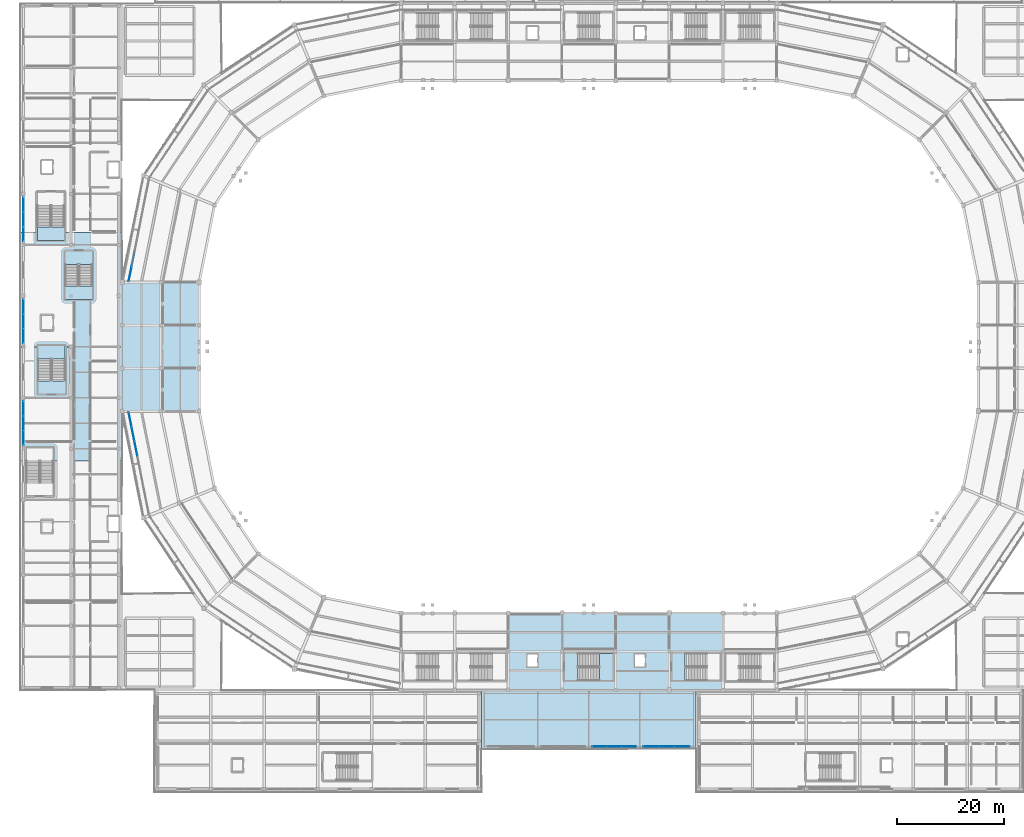
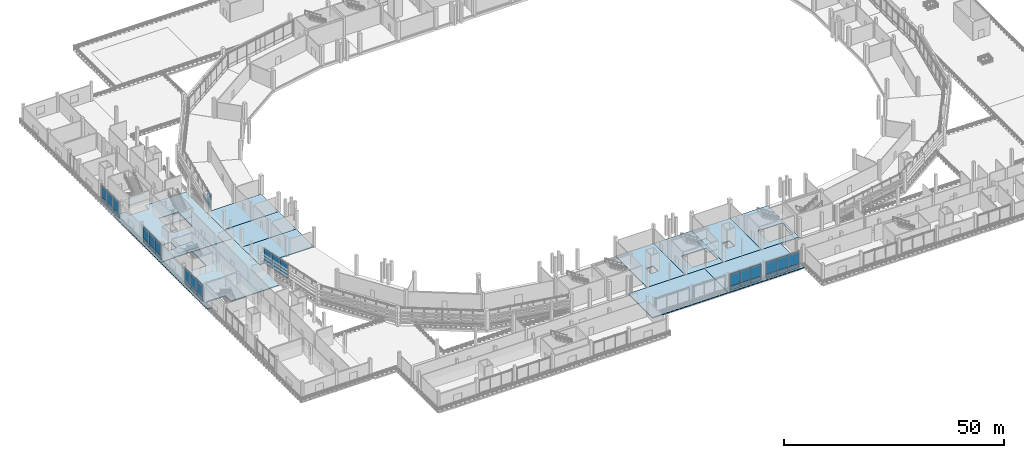
# One storey, part 61 of 111: 39 plates, 15 slabs, 11 elements without a shape of their own.
"""IFC4 building model written with IfcOpenShell, lengths in metres."""

from ifc_helpers import new_model, si_unit, direction, frame, origin, origin_2d, place, context, subcontext, project, spatial, polyline, rectangle, outline, extrude, material, layer, layer_set, type_object, element, aggregate, save


model = new_model("IFC4")

# Units and contexts
model_context = context("Model", 3, precision=1e-05, world=origin(), true_north=direction((0.0, 1.0)))
body_context = subcontext(model_context, "Body", "Model", "MODEL_VIEW")
ifc_project = project(units=[si_unit("LENGTHUNIT", "METRE"), si_unit("AREAUNIT", "SQUARE_METRE"), si_unit("VOLUMEUNIT", "CUBIC_METRE"), si_unit("PLANEANGLEUNIT", "RADIAN"), si_unit("MASSUNIT", "GRAM", prefix="KILO")], contexts=[model_context])

# Site, building, storey
site_placement = place(None, origin())
site = spatial("IfcSite", under=ifc_project, at=site_placement, CompositionType="ELEMENT")
building_placement = place(site_placement, origin())
building = spatial("IfcBuilding", under=site, at=building_placement, Name="Candeia Ridge Stadium", CompositionType="ELEMENT")
storey_placement = place(building_placement, frame((0.0, 0.0, 16.199951171875)))
storey = spatial("IfcBuildingStorey", under=building, at=storey_placement, Name="L03", CompositionType="ELEMENT", Elevation=16.199951171875)

# Stair, slab
ifc_material_1 = material(Name="Concrete C40/50", Category="concrete")
stair_type = type_object("IfcStairType", Name="Enclosed Core Half-Turn Stair 2450", PredefinedType="HALF_TURN_STAIR", material=ifc_material_1)
stair_1_placement = place(storey_placement, origin())
stair_1 = element("IfcStair", 1, at=stair_1_placement, inside=storey, type_object=stair_type, Name="L03 Enclosed exit stair ST06", PredefinedType="HALF_TURN_STAIR")
ifc_layer_1 = layer(ifc_material_1, 0.199951171875, Name="Concrete C40/50", Category="concrete")
ifc_layer_set_1 = layer_set([ifc_layer_1], Name="Concrete C40/50")
slab_type_1 = type_object("IfcSlabType", Name="Core Stair Landing Slab 200", PredefinedType="LANDING", material=ifc_layer_set_1)
slab_1_placement = place(storey_placement, frame((0.0, 0.0, 2.5)))
slab_1 = element("IfcSlab", 2, at=slab_1_placement, type_object=slab_type_1, Name="ST06 landing 1", PredefinedType="LANDING", context=body_context, shape_type="SweptSolid", body=[
    extrude(outline(polyline([(3.199951171875, 105.2900390625), (3.199951171875, 102.800048828125), (8.25, 102.800048828125), (8.25, 105.2900390625), (3.199951171875, 105.2900390625)])), origin(), (0.0, 0.0, 1.0), 0.199951171875),
])
aggregate(stair_1, [slab_1])

stair_2_placement = place(storey_placement, origin())
stair_2 = element("IfcStair", 3, at=stair_2_placement, inside=storey, type_object=stair_type, Name="L03 Enclosed exit stair ST07", PredefinedType="HALF_TURN_STAIR")
slab_2_placement = place(storey_placement, frame((0.0, 0.0, 2.5)))
slab_2 = element("IfcSlab", 4, at=slab_2_placement, type_object=slab_type_1, Name="ST07 landing 1", PredefinedType="LANDING", context=body_context, shape_type="SweptSolid", body=[
    extrude(outline(polyline([(8.39990234375, 80.7099609375), (8.39990234375, 83.199951171875), (3.35009765625, 83.199951171875), (3.35009765625, 80.7099609375), (8.39990234375, 80.7099609375)])), origin(), (0.0, 0.0, 1.0), 0.199951171875),
])
aggregate(stair_2, [slab_2])

stair_3_placement = place(storey_placement, origin())
stair_3 = element("IfcStair", 5, at=stair_3_placement, inside=storey, type_object=stair_type, Name="L03 Enclosed exit stair ST08", PredefinedType="HALF_TURN_STAIR")
slab_3_placement = place(storey_placement, frame((0.0, 0.0, 2.5)))
slab_3 = element("IfcSlab", 6, at=slab_3_placement, type_object=slab_type_1, Name="ST08 landing 1", PredefinedType="LANDING", context=body_context, shape_type="SweptSolid", body=[
    extrude(outline(polyline([(8.39990234375, 94.2900390625), (8.39990234375, 91.800048828125), (13.449951171875, 91.800048828125), (13.449951171875, 94.2900390625), (8.39990234375, 94.2900390625)])), origin(), (0.0, 0.0, 1.0), 0.199951171875),
])
aggregate(stair_3, [slab_3])

stair_4_placement = place(storey_placement, origin())
stair_4 = element("IfcStair", 7, at=stair_4_placement, inside=storey, type_object=stair_type, Name="L03 Enclosed exit stair ST18", PredefinedType="HALF_TURN_STAIR")
slab_4_placement = place(storey_placement, frame((0.0, 0.0, 2.5)))
slab_4 = element("IfcSlab", 8, at=slab_4_placement, type_object=slab_type_1, Name="ST18 landing 1", PredefinedType="LANDING", context=body_context, shape_type="SweptSolid", body=[
    extrude(outline(polyline([(108.010009765625, 20.800048828125), (110.5, 20.800048828125), (110.5, 25.85009765625), (108.010009765625, 25.85009765625), (108.010009765625, 20.800048828125)])), origin(), (0.0, 0.0, 1.0), 0.199951171875),
])
aggregate(stair_4, [slab_4])

# Curtain wall, plates
ifc_material_2 = material(Name="Aluminium Anodized Warm Bronze", Category="aluminium")
curtain_wall_type_1 = type_object("IfcCurtainWallType", Name="Cardinal Entrance Gate Tall Glazed Curtain Wall", PredefinedType="NOTDEFINED", material=ifc_material_2)
curtain_wall_1_placement = place(storey_placement, origin())
curtain_wall_1 = element("IfcCurtainWall", 9, at=curtain_wall_1_placement, inside=storey, type_object=curtain_wall_type_1, Name="Unitised curtain wall CW-WNG-L03-139", PredefinedType="NOTDEFINED")
ifc_material_3 = material(Name="Laminated Acoustic Glazing", Category="glass")
ifc_layer_2 = layer(ifc_material_3, 0.035888671875, Name="Laminated Acoustic Glazing", Category="glass")
ifc_layer_set_2 = layer_set([ifc_layer_2], Name="Laminated Acoustic Glazing")
plate_type_1 = type_object("IfcPlateType", Name="Gate Tall Laminated Glass Panel GP3", PredefinedType="CURTAIN_PANEL", material=ifc_layer_set_2)
plate_1_placement = place(storey_placement, frame((108.023193359375, 8.5, 1.14013671875), z_axis=(0.0, 0.0, 1.0), x_axis=(1.0, 0.0, 0.0)))
plate_1 = element("IfcPlate", 10, at=plate_1_placement, type_object=plate_type_1, Name="Curtain wall vision glass panel CW-WNG-L03-139-GP0", PredefinedType="CURTAIN_PANEL", context=body_context, shape_type="SweptSolid", body=[
    extrude(rectangle(XDim=2.65673828125, YDim=0.035888671875, at=origin_2d()), origin(), (0.0, 0.0, 1.0), 3.402099609375),
])
plate_2_placement = place(storey_placement, frame((110.75, 8.5, 1.14013671875), z_axis=(0.0, 0.0, 1.0), x_axis=(1.0, 0.0, 0.0)))
plate_2 = element("IfcPlate", 11, at=plate_2_placement, type_object=plate_type_1, Name="Curtain wall vision glass panel CW-WNG-L03-139-GP1", PredefinedType="CURTAIN_PANEL", context=body_context, shape_type="SweptSolid", body=[
    extrude(rectangle(XDim=2.65673828125, YDim=0.035888671875, at=origin_2d()), origin(), (0.0, 0.0, 1.0), 3.402099609375),
])
plate_3_placement = place(storey_placement, frame((113.476806640625, 8.5, 1.14013671875), z_axis=(0.0, 0.0, 1.0), x_axis=(1.0, 0.0, 0.0)))
plate_3 = element("IfcPlate", 12, at=plate_3_placement, type_object=plate_type_1, Name="Curtain wall vision glass panel CW-WNG-L03-139-GP2", PredefinedType="CURTAIN_PANEL", context=body_context, shape_type="SweptSolid", body=[
    extrude(rectangle(XDim=2.65673828125, YDim=0.035888671875, at=origin_2d()), origin(), (0.0, 0.0, 1.0), 3.402099609375),
])

curtain_wall_2_placement = place(storey_placement, origin())
curtain_wall_2 = element("IfcCurtainWall", 13, at=curtain_wall_2_placement, inside=storey, type_object=curtain_wall_type_1, Name="Unitised curtain wall CW-WNG-L03-140", PredefinedType="NOTDEFINED")
plate_4_placement = place(storey_placement, frame((117.606689453125, 8.5, 1.139892578125), z_axis=(0.0, 0.0, 1.0), x_axis=(1.0, 0.0, 0.0)))
plate_4 = element("IfcPlate", 14, at=plate_4_placement, type_object=plate_type_1, Name="Curtain wall vision glass panel CW-WNG-L03-140-GP0", PredefinedType="CURTAIN_PANEL", context=body_context, shape_type="SweptSolid", body=[
    extrude(rectangle(XDim=2.8232421875, YDim=0.035888671875, at=origin_2d()), origin(), (0.0, 0.0, 1.0), 3.39208984375),
])
plate_5_placement = place(storey_placement, frame((120.5, 8.5, 1.139892578125), z_axis=(0.0, 0.0, 1.0), x_axis=(1.0, 0.0, 0.0)))
plate_5 = element("IfcPlate", 15, at=plate_5_placement, type_object=plate_type_1, Name="Curtain wall vision glass panel CW-WNG-L03-140-GP1", PredefinedType="CURTAIN_PANEL", context=body_context, shape_type="SweptSolid", body=[
    extrude(rectangle(XDim=2.8232421875, YDim=0.035888671875, at=origin_2d()), origin(), (0.0, 0.0, 1.0), 3.39208984375),
])
plate_6_placement = place(storey_placement, frame((123.393310546875, 8.5, 1.139892578125), z_axis=(0.0, 0.0, 1.0), x_axis=(1.0, 0.0, 0.0)))
plate_6 = element("IfcPlate", 16, at=plate_6_placement, type_object=plate_type_1, Name="Curtain wall vision glass panel CW-WNG-L03-140-GP2", PredefinedType="CURTAIN_PANEL", context=body_context, shape_type="SweptSolid", body=[
    extrude(rectangle(XDim=2.8232421875, YDim=0.035888671875, at=origin_2d()), origin(), (0.0, 0.0, 1.0), 3.39208984375),
])

# Slabs
ifc_layer_3 = layer(ifc_material_1, 0.25, Name="Concrete C40/50", Category="concrete")
ifc_layer_set_3 = layer_set([ifc_layer_3], Name="Concrete C40/50")
slab_type_2 = type_object("IfcSlabType", Name="Hospitality & Museum Slab 250", PredefinedType="FLOOR", material=ifc_layer_set_3)
slab_5_placement = place(storey_placement, frame((0.0, 0.0, -0.25)))
element("IfcSlab", 17, at=slab_5_placement, inside=storey, type_object=slab_type_2, Name="Bowl concourse sector slab L03 bay 12 SLB-L03-0120", PredefinedType="FLOOR", context=body_context, shape_type="SweptSolid", body=[
    extrude(outline(polyline([(33.39990234375, 87.0), (19.0, 87.0), (19.0, 95.0), (33.39990234375, 95.0), (33.39990234375, 87.0)])), origin(), (0.0, 0.0, 1.0), 0.25),
])
slab_6_placement = place(storey_placement, frame((0.0, 0.0, -0.25)))
element("IfcSlab", 18, at=slab_6_placement, inside=storey, type_object=slab_type_2, Name="Bowl concourse sector slab L03 bay 13 SLB-L03-0121", PredefinedType="FLOOR", context=body_context, shape_type="SweptSolid", body=[
    extrude(outline(polyline([(33.39990234375, 79.0), (19.0, 79.0), (19.0, 87.0), (33.39990234375, 87.0), (33.39990234375, 79.0)])), origin(), (0.0, 0.0, 1.0), 0.25),
])
slab_7_placement = place(storey_placement, frame((0.0, 0.0, -0.25)))
element("IfcSlab", 19, at=slab_7_placement, inside=storey, type_object=slab_type_2, Name="Bowl concourse sector slab L03 bay 14 SLB-L03-0122", PredefinedType="FLOOR", context=body_context, shape_type="SweptSolid", body=[
    extrude(outline(polyline([(33.39990234375, 71.0), (19.0, 71.0), (19.0, 79.0), (33.39990234375, 79.0), (33.39990234375, 71.0)])), origin(), (0.0, 0.0, 1.0), 0.25),
])
slab_8_placement = place(storey_placement, frame((0.0, 0.0, -0.25)))
element("IfcSlab", 20, at=slab_8_placement, inside=storey, type_object=slab_type_2, Name="Bowl concourse sector slab L03 bay 21 SLB-L03-0129", PredefinedType="FLOOR", context=body_context, shape_type="SweptSolid", body=[
    extrude(outline(polyline([(101.0, 33.39990234375), (101.0, 19.0), (91.0, 19.0), (91.0, 33.39990234375), (101.0, 33.39990234375)]), holes=[polyline([(96.449951171875, 23.35009765625), (96.449951171875, 25.64990234375), (94.550048828125, 25.64990234375), (94.550048828125, 23.35009765625), (96.449951171875, 23.35009765625)])]), origin(), (0.0, 0.0, 1.0), 0.25),
])
slab_9_placement = place(storey_placement, frame((0.0, 0.0, -0.25)))
element("IfcSlab", 21, at=slab_9_placement, inside=storey, type_object=slab_type_2, Name="Bowl concourse sector slab L03 bay 22 SLB-L03-0130", PredefinedType="FLOOR", context=body_context, shape_type="SweptSolid", body=[
    extrude(outline(polyline([(111.0, 33.39990234375), (111.0, 19.0), (101.0, 19.0), (101.0, 33.39990234375), (111.0, 33.39990234375)]), holes=[polyline([(103.95068359375, 20.800048828125), (110.5, 20.800048828125), (110.5, 25.85009765625), (103.95068359375, 25.85009765625), (103.95068359375, 20.800048828125)])]), origin(), (0.0, 0.0, 1.0), 0.25),
])
slab_10_placement = place(storey_placement, frame((0.0, 0.0, -0.25)))
element("IfcSlab", 22, at=slab_10_placement, inside=storey, type_object=slab_type_2, Name="Bowl concourse sector slab L03 bay 23 SLB-L03-0131", PredefinedType="FLOOR", context=body_context, shape_type="SweptSolid", body=[
    extrude(outline(polyline([(121.0, 33.39990234375), (121.0, 19.0), (111.0, 19.0), (111.0, 33.39990234375), (121.0, 33.39990234375)]), holes=[polyline([(116.449951171875, 23.35009765625), (116.449951171875, 25.64990234375), (114.550048828125, 25.64990234375), (114.550048828125, 23.35009765625), (116.449951171875, 23.35009765625)])]), origin(), (0.0, 0.0, 1.0), 0.25),
])
slab_11_placement = place(storey_placement, frame((0.0, 0.0, -0.25)))
element("IfcSlab", 23, at=slab_11_placement, inside=storey, type_object=slab_type_2, Name="Bowl concourse sector slab L03 bay 24 SLB-L03-0132", PredefinedType="FLOOR", context=body_context, shape_type="SweptSolid", body=[
    extrude(outline(polyline([(131.0, 33.39990234375), (131.0, 19.0), (121.0, 19.0), (121.0, 33.39990234375), (131.0, 33.39990234375)]), holes=[polyline([(123.95068359375, 20.800048828125), (130.5, 20.800048828125), (130.5, 25.85009765625), (123.95068359375, 25.85009765625), (123.95068359375, 20.800048828125)])]), origin(), (0.0, 0.0, 1.0), 0.25),
])
slab_12_placement = place(storey_placement, frame((0.0, 0.0, -0.25)))
element("IfcSlab", 24, at=slab_12_placement, inside=storey, type_object=slab_type_2, Name="Wing floor slab west SLB-L03-0278", PredefinedType="FLOOR", context=body_context, shape_type="SweptSolid", body=[
    extrude(outline(polyline([(19.0, 83.0), (19.0, 61.666748046875), (6.199951171875, 61.666748046875), (6.199951171875, 64.199951171875), (1.14990234375, 64.199951171875), (1.14990234375, 61.666748046875), (0.0, 61.666748046875), (0.0, 83.0), (3.35009765625, 83.0), (3.35009765625, 76.650634765625), (8.39990234375, 76.650634765625), (8.39990234375, 83.0), (19.0, 83.0)])), origin(), (0.0, 0.0, 1.0), 0.25),
])
slab_13_placement = place(storey_placement, frame((0.0, 0.0, -0.25)))
element("IfcSlab", 25, at=slab_13_placement, inside=storey, type_object=slab_type_2, Name="Wing floor slab west SLB-L03-0279", PredefinedType="FLOOR", context=body_context, shape_type="SweptSolid", body=[
    extrude(outline(polyline([(19.0, 104.333251953125), (19.0, 83.0), (8.39990234375, 83.0), (8.39990234375, 83.199951171875), (3.35009765625, 83.199951171875), (3.35009765625, 83.0), (0.0, 83.0), (0.0, 104.333251953125), (3.199951171875, 104.333251953125), (3.199951171875, 102.800048828125), (8.25, 102.800048828125), (8.25, 104.333251953125), (19.0, 104.333251953125)]), holes=[polyline([(6.050048828125, 86.14990234375), (6.050048828125, 88.85009765625), (3.949951171875, 88.85009765625), (3.949951171875, 86.14990234375), (6.050048828125, 86.14990234375)]), polyline([(8.39990234375, 98.349365234375), (8.39990234375, 91.800048828125), (13.449951171875, 91.800048828125), (13.449951171875, 98.349365234375), (8.39990234375, 98.349365234375)])]), origin(), (0.0, 0.0, 1.0), 0.25),
])
slab_14_placement = place(storey_placement, frame((0.0, 0.0, -0.25)))
element("IfcSlab", 26, at=slab_14_placement, inside=storey, type_object=slab_type_2, Name="Wing floor slab sgate SLB-L03-0288", PredefinedType="FLOOR", context=body_context, shape_type="SweptSolid", body=[
    extrude(outline(polyline([(86.0, 8.0), (86.0, 19.0), (106.0, 19.0), (106.0, 8.0), (86.0, 8.0)])), origin(), (0.0, 0.0, 1.0), 0.25),
])
slab_15_placement = place(storey_placement, frame((0.0, 0.0, -0.25)))
element("IfcSlab", 27, at=slab_15_placement, inside=storey, type_object=slab_type_2, Name="Wing floor slab sgate SLB-L03-0289", PredefinedType="FLOOR", context=body_context, shape_type="SweptSolid", body=[
    extrude(outline(polyline([(106.0, 8.0), (106.0, 19.0), (126.0, 19.0), (126.0, 8.0), (106.0, 8.0)])), origin(), (0.0, 0.0, 1.0), 0.25),
])

# Curtain wall, plates
curtain_wall_type_2 = type_object("IfcCurtainWallType", Name="Concourse Recessed Unitised Curtain Wall", PredefinedType="NOTDEFINED", material=ifc_material_2)
curtain_wall_3_placement = place(storey_placement, origin())
curtain_wall_3 = element("IfcCurtainWall", 28, at=curtain_wall_3_placement, inside=storey, type_object=curtain_wall_type_2, Name="Unitised curtain wall CW-BWL-L03-10", PredefinedType="NOTDEFINED")
ifc_material_4 = material(Name="Aluminium Insulated Spandrel", Category="aluminium")
ifc_layer_4 = layer(ifc_material_4, 0.06494140625, Name="Aluminium Insulated Spandrel", Category="aluminium")
ifc_layer_set_4 = layer_set([ifc_layer_4], Name="Aluminium Insulated Spandrel")
plate_type_2 = type_object("IfcPlateType", Name="Insulated Bronze Spandrel Panel SP2", PredefinedType="CURTAIN_PANEL", material=ifc_layer_set_4)
plate_7_placement = place(storey_placement, frame((21.048583984375, 99.2666015625, 0.0400390625), z_axis=(0.0, 0.0, 1.0), x_axis=(-0.195090320544, -0.980785280696, 0.0)))
plate_7 = element("IfcPlate", 29, at=plate_7_placement, type_object=plate_type_2, Name="Curtain wall spandrel panel CW-BWL-L03-10-SP5", PredefinedType="CURTAIN_PANEL", context=body_context, shape_type="SweptSolid", body=[
    extrude(rectangle(XDim=2.710205078125, YDim=0.06494140625, at=origin_2d()), origin(), (0.0, 0.0, 1.0), 0.981201171875),
])
plate_8_placement = place(storey_placement, frame((20.50634765625, 96.539794921875, 0.0400390625), z_axis=(0.0, 0.0, 1.0), x_axis=(-0.195090320544, -0.980785280696, 0.0)))
plate_8 = element("IfcPlate", 30, at=plate_8_placement, type_object=plate_type_2, Name="Curtain wall spandrel panel CW-BWL-L03-10-SP6", PredefinedType="CURTAIN_PANEL", context=body_context, shape_type="SweptSolid", body=[
    extrude(rectangle(XDim=2.710205078125, YDim=0.06494140625, at=origin_2d()), origin(), (0.0, 0.0, 1.0), 0.981201171875),
])

curtain_wall_4_placement = place(storey_placement, origin())
curtain_wall_4 = element("IfcCurtainWall", 31, at=curtain_wall_4_placement, inside=storey, type_object=curtain_wall_type_2, Name="Unitised curtain wall CW-BWL-L03-14", PredefinedType="NOTDEFINED")
plate_9_placement = place(storey_placement, frame((20.50634765625, 69.460205078125, 0.0400390625), z_axis=(0.0, 0.0, 1.0), x_axis=(0.195090320544, -0.980785280696, 0.0)))
plate_9 = element("IfcPlate", 32, at=plate_9_placement, type_object=plate_type_2, Name="Curtain wall spandrel panel CW-BWL-L03-14-SP0", PredefinedType="CURTAIN_PANEL", context=body_context, shape_type="SweptSolid", body=[
    extrude(rectangle(XDim=2.710205078125, YDim=0.06494140625, at=origin_2d()), origin(), (0.0, 0.0, 1.0), 0.97119140625),
])
plate_10_placement = place(storey_placement, frame((21.048583984375, 66.7333984375, 0.0400390625), z_axis=(0.0, 0.0, 1.0), x_axis=(0.195090320544, -0.980785280696, 0.0)))
plate_10 = element("IfcPlate", 33, at=plate_10_placement, type_object=plate_type_2, Name="Curtain wall spandrel panel CW-BWL-L03-14-SP1", PredefinedType="CURTAIN_PANEL", context=body_context, shape_type="SweptSolid", body=[
    extrude(rectangle(XDim=2.710205078125, YDim=0.06494140625, at=origin_2d()), origin(), (0.0, 0.0, 1.0), 0.97119140625),
])
plate_11_placement = place(storey_placement, frame((21.591064453125, 64.006591796875, 0.0400390625), z_axis=(0.0, 0.0, 1.0), x_axis=(0.195090320544, -0.980785280696, 0.0)))
plate_11 = element("IfcPlate", 34, at=plate_11_placement, type_object=plate_type_2, Name="Curtain wall spandrel panel CW-BWL-L03-14-SP2", PredefinedType="CURTAIN_PANEL", context=body_context, shape_type="SweptSolid", body=[
    extrude(rectangle(XDim=2.710205078125, YDim=0.06494140625, at=origin_2d()), origin(), (0.0, 0.0, 1.0), 0.97119140625),
])

curtain_wall_type_3 = type_object("IfcCurtainWallType", Name="West Pavilion Hospitality Curtain Wall", PredefinedType="NOTDEFINED", material=ifc_material_2)
curtain_wall_5_placement = place(storey_placement, origin())
curtain_wall_5 = element("IfcCurtainWall", 35, at=curtain_wall_5_placement, inside=storey, type_object=curtain_wall_type_3, Name="Unitised curtain wall CW-WNG-L03-089", PredefinedType="NOTDEFINED")
ifc_layer_5 = layer(ifc_material_4, 0.06494140625, Name="Aluminium Insulated Spandrel", Category="aluminium")
ifc_layer_set_5 = layer_set([ifc_layer_5], Name="Aluminium Insulated Spandrel")
plate_type_3 = type_object("IfcPlateType", Name="Insulated Cedar-Tone Spandrel Panel SP3", PredefinedType="CURTAIN_PANEL", material=ifc_layer_set_5)
plate_12_placement = place(storey_placement, frame((0.60009765625, 66.023193359375, 0.0400390625), z_axis=(0.0, 0.0, 1.0), x_axis=(0.0, 1.0, 0.0)))
plate_12 = element("IfcPlate", 36, at=plate_12_placement, type_object=plate_type_3, Name="Curtain wall spandrel panel CW-WNG-L03-089-SP0", PredefinedType="CURTAIN_PANEL", context=body_context, shape_type="SweptSolid", body=[
    extrude(rectangle(XDim=2.65673828125, YDim=0.06494140625, at=origin_2d()), origin(), (0.0, 0.0, 1.0), 1.02001953125),
])
plate_13_placement = place(storey_placement, frame((0.60009765625, 68.75, 0.0400390625), z_axis=(0.0, 0.0, 1.0), x_axis=(0.0, 1.0, 0.0)))
plate_13 = element("IfcPlate", 37, at=plate_13_placement, type_object=plate_type_3, Name="Curtain wall spandrel panel CW-WNG-L03-089-SP1", PredefinedType="CURTAIN_PANEL", context=body_context, shape_type="SweptSolid", body=[
    extrude(rectangle(XDim=2.65673828125, YDim=0.06494140625, at=origin_2d()), origin(), (0.0, 0.0, 1.0), 1.02001953125),
])
plate_14_placement = place(storey_placement, frame((0.60009765625, 71.476806640625, 0.0400390625), z_axis=(0.0, 0.0, 1.0), x_axis=(0.0, 1.0, 0.0)))
plate_14 = element("IfcPlate", 38, at=plate_14_placement, type_object=plate_type_3, Name="Curtain wall spandrel panel CW-WNG-L03-089-SP2", PredefinedType="CURTAIN_PANEL", context=body_context, shape_type="SweptSolid", body=[
    extrude(rectangle(XDim=2.65673828125, YDim=0.06494140625, at=origin_2d()), origin(), (0.0, 0.0, 1.0), 1.02001953125),
])

curtain_wall_6_placement = place(storey_placement, origin())
curtain_wall_6 = element("IfcCurtainWall", 39, at=curtain_wall_6_placement, inside=storey, type_object=curtain_wall_type_3, Name="Unitised curtain wall CW-WNG-L03-090", PredefinedType="NOTDEFINED")
plate_15_placement = place(storey_placement, frame((0.60009765625, 85.023193359375, 0.0400390625), z_axis=(0.0, 0.0, 1.0), x_axis=(0.0, 1.0, 0.0)))
plate_15 = element("IfcPlate", 40, at=plate_15_placement, type_object=plate_type_3, Name="Curtain wall spandrel panel CW-WNG-L03-090-SP0", PredefinedType="CURTAIN_PANEL", context=body_context, shape_type="SweptSolid", body=[
    extrude(rectangle(XDim=2.65673828125, YDim=0.06494140625, at=origin_2d()), origin(), (0.0, 0.0, 1.0), 1.02001953125),
])
plate_16_placement = place(storey_placement, frame((0.60009765625, 87.75, 0.0400390625), z_axis=(0.0, 0.0, 1.0), x_axis=(0.0, 1.0, 0.0)))
plate_16 = element("IfcPlate", 41, at=plate_16_placement, type_object=plate_type_3, Name="Curtain wall spandrel panel CW-WNG-L03-090-SP1", PredefinedType="CURTAIN_PANEL", context=body_context, shape_type="SweptSolid", body=[
    extrude(rectangle(XDim=2.65673828125, YDim=0.06494140625, at=origin_2d()), origin(), (0.0, 0.0, 1.0), 1.02001953125),
])
plate_17_placement = place(storey_placement, frame((0.60009765625, 90.476806640625, 0.0400390625), z_axis=(0.0, 0.0, 1.0), x_axis=(0.0, 1.0, 0.0)))
plate_17 = element("IfcPlate", 42, at=plate_17_placement, type_object=plate_type_3, Name="Curtain wall spandrel panel CW-WNG-L03-090-SP2", PredefinedType="CURTAIN_PANEL", context=body_context, shape_type="SweptSolid", body=[
    extrude(rectangle(XDim=2.65673828125, YDim=0.06494140625, at=origin_2d()), origin(), (0.0, 0.0, 1.0), 1.02001953125),
])

curtain_wall_7_placement = place(storey_placement, origin())
curtain_wall_7 = element("IfcCurtainWall", 43, at=curtain_wall_7_placement, inside=storey, type_object=curtain_wall_type_3, Name="Unitised curtain wall CW-WNG-L03-091", PredefinedType="NOTDEFINED")
plate_18_placement = place(storey_placement, frame((0.60009765625, 104.023193359375, 0.0400390625), z_axis=(0.0, 0.0, 1.0), x_axis=(0.0, 1.0, 0.0)))
plate_18 = element("IfcPlate", 44, at=plate_18_placement, type_object=plate_type_3, Name="Curtain wall spandrel panel CW-WNG-L03-091-SP0", PredefinedType="CURTAIN_PANEL", context=body_context, shape_type="SweptSolid", body=[
    extrude(rectangle(XDim=2.65673828125, YDim=0.06494140625, at=origin_2d()), origin(), (0.0, 0.0, 1.0), 1.02001953125),
])
plate_19_placement = place(storey_placement, frame((0.60009765625, 106.75, 0.0400390625), z_axis=(0.0, 0.0, 1.0), x_axis=(0.0, 1.0, 0.0)))
plate_19 = element("IfcPlate", 45, at=plate_19_placement, type_object=plate_type_3, Name="Curtain wall spandrel panel CW-WNG-L03-091-SP1", PredefinedType="CURTAIN_PANEL", context=body_context, shape_type="SweptSolid", body=[
    extrude(rectangle(XDim=2.65673828125, YDim=0.06494140625, at=origin_2d()), origin(), (0.0, 0.0, 1.0), 1.02001953125),
])
plate_20_placement = place(storey_placement, frame((0.60009765625, 109.476806640625, 0.0400390625), z_axis=(0.0, 0.0, 1.0), x_axis=(0.0, 1.0, 0.0)))
plate_20 = element("IfcPlate", 46, at=plate_20_placement, type_object=plate_type_3, Name="Curtain wall spandrel panel CW-WNG-L03-091-SP2", PredefinedType="CURTAIN_PANEL", context=body_context, shape_type="SweptSolid", body=[
    extrude(rectangle(XDim=2.65673828125, YDim=0.06494140625, at=origin_2d()), origin(), (0.0, 0.0, 1.0), 1.02001953125),
])

# Plate
plate_21_placement = place(storey_placement, frame((108.023193359375, 8.5, 0.0400390625), z_axis=(0.0, 0.0, 1.0), x_axis=(1.0, 0.0, 0.0)))
plate_21 = element("IfcPlate", 47, at=plate_21_placement, type_object=plate_type_3, Name="Curtain wall spandrel panel CW-WNG-L03-139-SP0", PredefinedType="CURTAIN_PANEL", context=body_context, shape_type="SweptSolid", body=[
    extrude(rectangle(XDim=2.65673828125, YDim=0.06494140625, at=origin_2d()), origin(), (0.0, 0.0, 1.0), 1.02001953125),
])

plate_22_placement = place(storey_placement, frame((110.75, 8.5, 0.0400390625), z_axis=(0.0, 0.0, 1.0), x_axis=(1.0, 0.0, 0.0)))
plate_22 = element("IfcPlate", 48, at=plate_22_placement, type_object=plate_type_3, Name="Curtain wall spandrel panel CW-WNG-L03-139-SP1", PredefinedType="CURTAIN_PANEL", context=body_context, shape_type="SweptSolid", body=[
    extrude(rectangle(XDim=2.65673828125, YDim=0.06494140625, at=origin_2d()), origin(), (0.0, 0.0, 1.0), 1.02001953125),
])

plate_23_placement = place(storey_placement, frame((113.476806640625, 8.5, 0.0400390625), z_axis=(0.0, 0.0, 1.0), x_axis=(1.0, 0.0, 0.0)))
plate_23 = element("IfcPlate", 49, at=plate_23_placement, type_object=plate_type_3, Name="Curtain wall spandrel panel CW-WNG-L03-139-SP2", PredefinedType="CURTAIN_PANEL", context=body_context, shape_type="SweptSolid", body=[
    extrude(rectangle(XDim=2.65673828125, YDim=0.06494140625, at=origin_2d()), origin(), (0.0, 0.0, 1.0), 1.02001953125),
])

aggregate(curtain_wall_1, [plate_21, plate_1, plate_22, plate_2, plate_23, plate_3])

plate_24_placement = place(storey_placement, frame((117.606689453125, 8.5, 0.0400390625), z_axis=(0.0, 0.0, 1.0), x_axis=(1.0, 0.0, 0.0)))
plate_24 = element("IfcPlate", 50, at=plate_24_placement, type_object=plate_type_3, Name="Curtain wall spandrel panel CW-WNG-L03-140-SP0", PredefinedType="CURTAIN_PANEL", context=body_context, shape_type="SweptSolid", body=[
    extrude(rectangle(XDim=2.8232421875, YDim=0.06494140625, at=origin_2d()), origin(), (0.0, 0.0, 1.0), 1.02001953125),
])

plate_25_placement = place(storey_placement, frame((120.5, 8.5, 0.0400390625), z_axis=(0.0, 0.0, 1.0), x_axis=(1.0, 0.0, 0.0)))
plate_25 = element("IfcPlate", 51, at=plate_25_placement, type_object=plate_type_3, Name="Curtain wall spandrel panel CW-WNG-L03-140-SP1", PredefinedType="CURTAIN_PANEL", context=body_context, shape_type="SweptSolid", body=[
    extrude(rectangle(XDim=2.8232421875, YDim=0.06494140625, at=origin_2d()), origin(), (0.0, 0.0, 1.0), 1.02001953125),
])

plate_26_placement = place(storey_placement, frame((123.393310546875, 8.5, 0.0400390625), z_axis=(0.0, 0.0, 1.0), x_axis=(1.0, 0.0, 0.0)))
plate_26 = element("IfcPlate", 52, at=plate_26_placement, type_object=plate_type_3, Name="Curtain wall spandrel panel CW-WNG-L03-140-SP2", PredefinedType="CURTAIN_PANEL", context=body_context, shape_type="SweptSolid", body=[
    extrude(rectangle(XDim=2.8232421875, YDim=0.06494140625, at=origin_2d()), origin(), (0.0, 0.0, 1.0), 1.02001953125),
])

aggregate(curtain_wall_2, [plate_24, plate_4, plate_25, plate_5, plate_26, plate_6])

ifc_material_5 = material(Name="Tempered Low-E Double Glazing", Category="glass")
ifc_layer_6 = layer(ifc_material_5, 0.035888671875, Name="Tempered Low-E Double Glazing", Category="glass")
ifc_layer_set_6 = layer_set([ifc_layer_6], Name="Tempered Low-E Double Glazing")
plate_type_4 = type_object("IfcPlateType", Name="Pavilion Panorama Glass Panel GP4", PredefinedType="CURTAIN_PANEL", material=ifc_layer_set_6)
plate_27_placement = place(storey_placement, frame((0.60009765625, 66.023193359375, 1.14013671875), z_axis=(0.0, 0.0, 1.0), x_axis=(0.0, 1.0, 0.0)))
plate_27 = element("IfcPlate", 53, at=plate_27_placement, type_object=plate_type_4, Name="Curtain wall vision glass panel CW-WNG-L03-089-GP0", PredefinedType="CURTAIN_PANEL", context=body_context, shape_type="SweptSolid", body=[
    extrude(rectangle(XDim=2.65673828125, YDim=0.035888671875, at=origin_2d()), origin(), (0.0, 0.0, 1.0), 3.294921875),
])

plate_28_placement = place(storey_placement, frame((0.60009765625, 68.75, 1.14013671875), z_axis=(0.0, 0.0, 1.0), x_axis=(0.0, 1.0, 0.0)))
plate_28 = element("IfcPlate", 54, at=plate_28_placement, type_object=plate_type_4, Name="Curtain wall vision glass panel CW-WNG-L03-089-GP1", PredefinedType="CURTAIN_PANEL", context=body_context, shape_type="SweptSolid", body=[
    extrude(rectangle(XDim=2.65673828125, YDim=0.035888671875, at=origin_2d()), origin(), (0.0, 0.0, 1.0), 3.294921875),
])

plate_29_placement = place(storey_placement, frame((0.60009765625, 71.476806640625, 1.14013671875), z_axis=(0.0, 0.0, 1.0), x_axis=(0.0, 1.0, 0.0)))
plate_29 = element("IfcPlate", 55, at=plate_29_placement, type_object=plate_type_4, Name="Curtain wall vision glass panel CW-WNG-L03-089-GP2", PredefinedType="CURTAIN_PANEL", context=body_context, shape_type="SweptSolid", body=[
    extrude(rectangle(XDim=2.65673828125, YDim=0.035888671875, at=origin_2d()), origin(), (0.0, 0.0, 1.0), 3.294921875),
])

aggregate(curtain_wall_5, [plate_12, plate_27, plate_13, plate_28, plate_14, plate_29])

plate_30_placement = place(storey_placement, frame((0.60009765625, 85.023193359375, 1.14013671875), z_axis=(0.0, 0.0, 1.0), x_axis=(0.0, 1.0, 0.0)))
plate_30 = element("IfcPlate", 56, at=plate_30_placement, type_object=plate_type_4, Name="Curtain wall vision glass panel CW-WNG-L03-090-GP0", PredefinedType="CURTAIN_PANEL", context=body_context, shape_type="SweptSolid", body=[
    extrude(rectangle(XDim=2.65673828125, YDim=0.035888671875, at=origin_2d()), origin(), (0.0, 0.0, 1.0), 3.294921875),
])

plate_31_placement = place(storey_placement, frame((0.60009765625, 87.75, 1.14013671875), z_axis=(0.0, 0.0, 1.0), x_axis=(0.0, 1.0, 0.0)))
plate_31 = element("IfcPlate", 57, at=plate_31_placement, type_object=plate_type_4, Name="Curtain wall vision glass panel CW-WNG-L03-090-GP1", PredefinedType="CURTAIN_PANEL", context=body_context, shape_type="SweptSolid", body=[
    extrude(rectangle(XDim=2.65673828125, YDim=0.035888671875, at=origin_2d()), origin(), (0.0, 0.0, 1.0), 3.294921875),
])

plate_32_placement = place(storey_placement, frame((0.60009765625, 90.476806640625, 1.14013671875), z_axis=(0.0, 0.0, 1.0), x_axis=(0.0, 1.0, 0.0)))
plate_32 = element("IfcPlate", 58, at=plate_32_placement, type_object=plate_type_4, Name="Curtain wall vision glass panel CW-WNG-L03-090-GP2", PredefinedType="CURTAIN_PANEL", context=body_context, shape_type="SweptSolid", body=[
    extrude(rectangle(XDim=2.65673828125, YDim=0.035888671875, at=origin_2d()), origin(), (0.0, 0.0, 1.0), 3.294921875),
])

aggregate(curtain_wall_6, [plate_15, plate_30, plate_16, plate_31, plate_17, plate_32])

plate_33_placement = place(storey_placement, frame((0.60009765625, 104.023193359375, 1.14013671875), z_axis=(0.0, 0.0, 1.0), x_axis=(0.0, 1.0, 0.0)))
plate_33 = element("IfcPlate", 59, at=plate_33_placement, type_object=plate_type_4, Name="Curtain wall vision glass panel CW-WNG-L03-091-GP0", PredefinedType="CURTAIN_PANEL", context=body_context, shape_type="SweptSolid", body=[
    extrude(rectangle(XDim=2.65673828125, YDim=0.035888671875, at=origin_2d()), origin(), (0.0, 0.0, 1.0), 3.294921875),
])

plate_34_placement = place(storey_placement, frame((0.60009765625, 106.75, 1.14013671875), z_axis=(0.0, 0.0, 1.0), x_axis=(0.0, 1.0, 0.0)))
plate_34 = element("IfcPlate", 60, at=plate_34_placement, type_object=plate_type_4, Name="Curtain wall vision glass panel CW-WNG-L03-091-GP1", PredefinedType="CURTAIN_PANEL", context=body_context, shape_type="SweptSolid", body=[
    extrude(rectangle(XDim=2.65673828125, YDim=0.035888671875, at=origin_2d()), origin(), (0.0, 0.0, 1.0), 3.294921875),
])

plate_35_placement = place(storey_placement, frame((0.60009765625, 109.476806640625, 1.14013671875), z_axis=(0.0, 0.0, 1.0), x_axis=(0.0, 1.0, 0.0)))
plate_35 = element("IfcPlate", 61, at=plate_35_placement, type_object=plate_type_4, Name="Curtain wall vision glass panel CW-WNG-L03-091-GP2", PredefinedType="CURTAIN_PANEL", context=body_context, shape_type="SweptSolid", body=[
    extrude(rectangle(XDim=2.65673828125, YDim=0.035888671875, at=origin_2d()), origin(), (0.0, 0.0, 1.0), 3.294921875),
])

aggregate(curtain_wall_7, [plate_18, plate_33, plate_19, plate_34, plate_20, plate_35])

ifc_layer_7 = layer(ifc_material_5, 0.035888671875, Name="Tempered Low-E Double Glazing", Category="glass")
ifc_layer_set_7 = layer_set([ifc_layer_7], Name="Tempered Low-E Double Glazing")
plate_type_5 = type_object("IfcPlateType", Name="Solar Control Vision Glass Panel GP2", PredefinedType="CURTAIN_PANEL", material=ifc_layer_set_7)
plate_36_placement = place(storey_placement, frame((20.50634765625, 96.539794921875, 1.10107421875), z_axis=(0.0, 0.0, 1.0), x_axis=(-0.195090320544, -0.980785280696, 0.0)))
plate_36 = element("IfcPlate", 62, at=plate_36_placement, type_object=plate_type_5, Name="Curtain wall vision glass panel CW-BWL-L03-10-GP6", PredefinedType="CURTAIN_PANEL", context=body_context, shape_type="SweptSolid", body=[
    extrude(rectangle(XDim=2.710205078125, YDim=0.035888671875, at=origin_2d()), origin(), (0.0, 0.0, 1.0), 3.103759765625),
])

aggregate(curtain_wall_3, [plate_7, plate_8, plate_36])

ifc_layer_8 = layer(ifc_material_5, 0.035888671875, Name="Tempered Low-E Double Glazing", Category="glass")
ifc_layer_set_8 = layer_set([ifc_layer_8], Name="Tempered Low-E Double Glazing")
plate_type_6 = type_object("IfcPlateType", Name="Solar Control Vision Glass Panel GP8", PredefinedType="CURTAIN_PANEL", material=ifc_layer_set_8)
plate_37_placement = place(storey_placement, frame((20.50634765625, 69.460205078125, 1.09130859375), z_axis=(0.0, 0.0, 1.0), x_axis=(0.195090320544, -0.980785280696, 0.0)))
plate_37 = element("IfcPlate", 63, at=plate_37_placement, type_object=plate_type_6, Name="Curtain wall vision glass panel CW-BWL-L03-14-GP0", PredefinedType="CURTAIN_PANEL", context=body_context, shape_type="SweptSolid", body=[
    extrude(rectangle(XDim=2.710205078125, YDim=0.035888671875, at=origin_2d()), origin(), (0.0, 0.0, 1.0), 3.07373046875),
])

plate_38_placement = place(storey_placement, frame((21.048583984375, 66.7333984375, 1.09130859375), z_axis=(0.0, 0.0, 1.0), x_axis=(0.195090320544, -0.980785280696, 0.0)))
plate_38 = element("IfcPlate", 64, at=plate_38_placement, type_object=plate_type_6, Name="Curtain wall vision glass panel CW-BWL-L03-14-GP1", PredefinedType="CURTAIN_PANEL", context=body_context, shape_type="SweptSolid", body=[
    extrude(rectangle(XDim=2.710205078125, YDim=0.035888671875, at=origin_2d()), origin(), (0.0, 0.0, 1.0), 3.07373046875),
])

plate_39_placement = place(storey_placement, frame((21.591064453125, 64.006591796875, 1.09130859375), z_axis=(0.0, 0.0, 1.0), x_axis=(0.195090320544, -0.980785280696, 0.0)))
plate_39 = element("IfcPlate", 65, at=plate_39_placement, type_object=plate_type_6, Name="Curtain wall vision glass panel CW-BWL-L03-14-GP2", PredefinedType="CURTAIN_PANEL", context=body_context, shape_type="SweptSolid", body=[
    extrude(rectangle(XDim=2.710205078125, YDim=0.035888671875, at=origin_2d()), origin(), (0.0, 0.0, 1.0), 3.07373046875),
])

aggregate(curtain_wall_4, [plate_9, plate_37, plate_10, plate_38, plate_11, plate_39])

save(model, "model.ifc")
